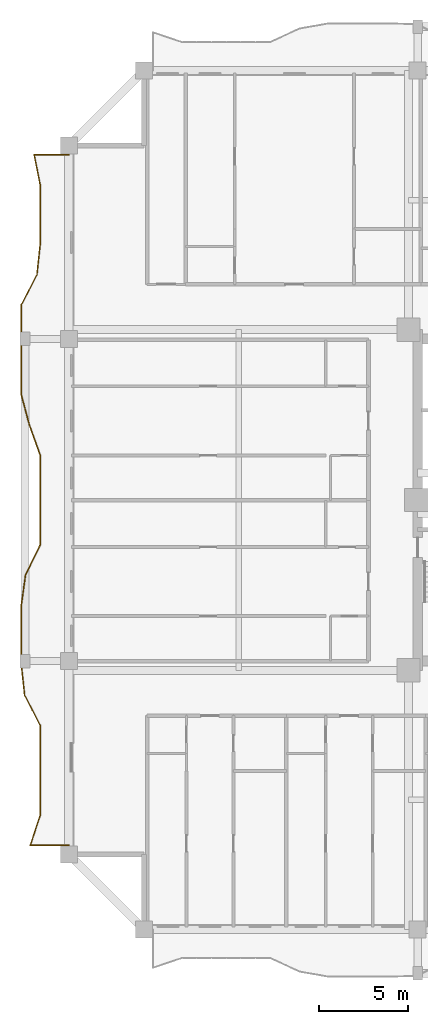
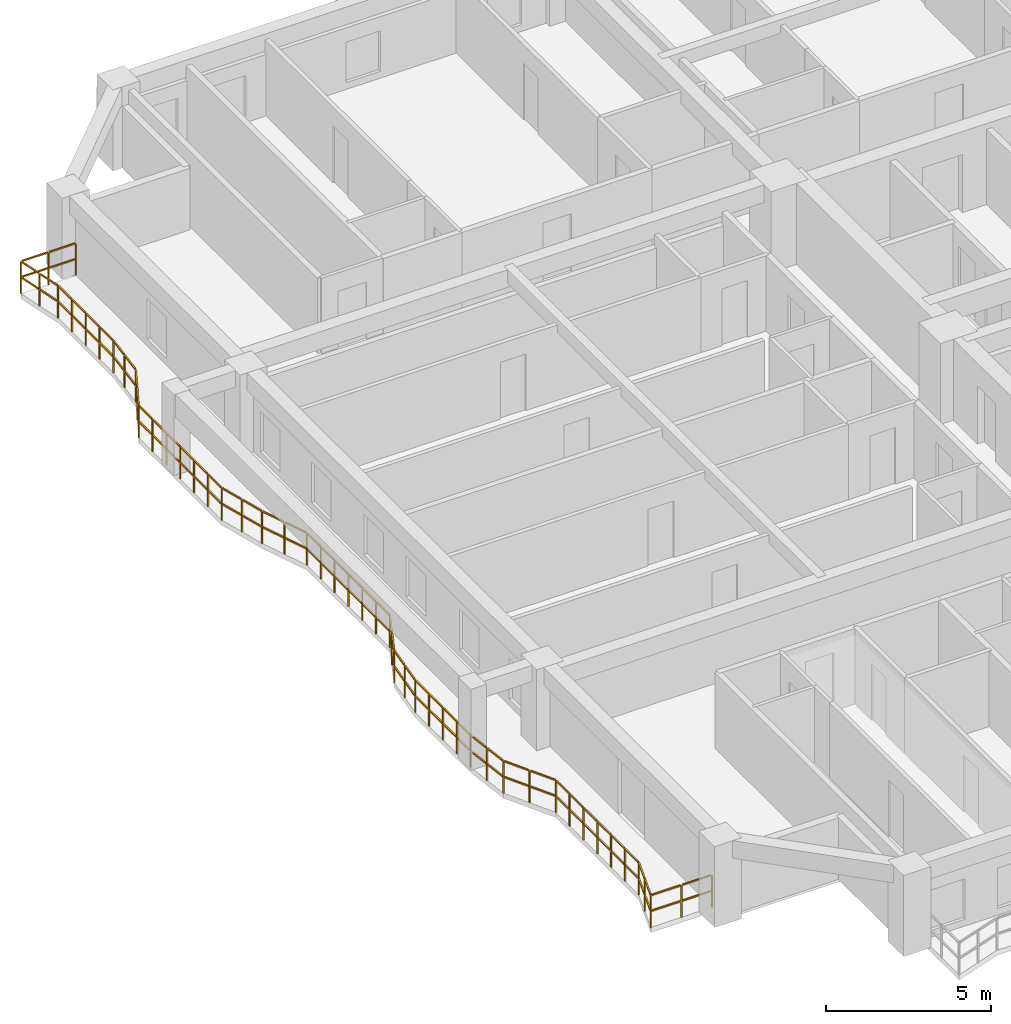
# One storey, part 12 of 15: 1 railing.
"""IFC4 building model written with IfcOpenShell, lengths in metres."""

from ifc_helpers import new_model, si_unit, direction, frame, origin, origin_2d, place, context, subcontext, project, spatial, rectangle, extrude, material, type_object, element, save


model = new_model("IFC4")

# Units and contexts
model_context = context("Model", 3, precision=1e-05, world=origin(), true_north=direction((0.0, 1.0)))
body_context = subcontext(model_context, "Body", "Model", "MODEL_VIEW")
ifc_project = project(units=[si_unit("LENGTHUNIT", "METRE"), si_unit("AREAUNIT", "SQUARE_METRE"), si_unit("VOLUMEUNIT", "CUBIC_METRE"), si_unit("PLANEANGLEUNIT", "RADIAN"), si_unit("MASSUNIT", "GRAM", prefix="KILO")], contexts=[model_context])

# Site, building, storey
site_placement = place(None, origin())
site = spatial("IfcSite", under=ifc_project, at=site_placement, CompositionType="ELEMENT")
building_placement = place(site_placement, origin())
building = spatial("IfcBuilding", under=site, at=building_placement, Name="Saelheon Loggia Tower", CompositionType="ELEMENT")
storey_placement = place(building_placement, frame((0.0, 0.0, 77.85009765625)))
storey = spatial("IfcBuildingStorey", under=building, at=storey_placement, Name="L24", CompositionType="ELEMENT", Elevation=77.85009765625)

# Railing
ifc_material = material(Name="Architectural Precast Concrete and Laminated Glass Guard", Category="concrete")
railing_type = type_object("IfcRailingType", Name="Guard_Loggia_RL_LOG", PredefinedType="BALUSTRADE", material=ifc_material)
railing_placement = place(storey_placement, frame((12.0, 46.300048828125, 0.0)))
element("IfcRailing", 1, at=railing_placement, inside=storey, type_object=railing_type, Name="L24 West Loggia Balustrade", PredefinedType="BALUSTRADE", context=body_context, shape_type="SweptSolid", body=[
    extrude(rectangle(XDim=0.048095703125, YDim=0.048095703125, at=origin_2d()), frame((-0.033203125, 0.0, 1.19580078125), z_axis=(-1.0, 0.0, 0.0), x_axis=(0.0, -1.0, 0.0)), (0.0, 0.0, 1.0), 0.900146484375),
    extrude(rectangle(XDim=0.048095703125, YDim=0.048095703125, at=origin_2d()), frame((-0.033203125, 0.0, 0.60986328125), z_axis=(-1.0, 0.0, 0.0), x_axis=(0.0, -1.0, 0.0)), (0.0, 0.0, 1.0), 0.900146484375),
    extrude(rectangle(XDim=0.048095703125, YDim=0.048095703125, at=origin_2d()), frame((-1.0, 0.0, 1.19580078125), z_axis=(-1.0, 0.0, 0.0), x_axis=(0.0, -1.0, 0.0)), (0.0, 0.0, 1.0), 0.900146484375),
    extrude(rectangle(XDim=0.048095703125, YDim=0.048095703125, at=origin_2d()), frame((-1.0, 0.0, 0.60986328125), z_axis=(-1.0, 0.0, 0.0), x_axis=(0.0, -1.0, 0.0)), (0.0, 0.0, 1.0), 0.900146484375),
    extrude(rectangle(XDim=0.048095703125, YDim=0.048095703125, at=origin_2d()), frame((-1.9267578125, -0.03271484375, 1.19580078125), z_axis=(0.194744119332, -0.980854080883, 0.0), x_axis=(0.980854080883, 0.194744119332, 0.0)), (0.0, 0.0, 1.0), 0.7890625),
    extrude(rectangle(XDim=0.048095703125, YDim=0.048095703125, at=origin_2d()), frame((-1.9267578125, -0.03271484375, 0.60986328125), z_axis=(0.194744119332, -0.980854080883, 0.0), x_axis=(0.980854080883, 0.194744119332, 0.0)), (0.0, 0.0, 1.0), 0.7890625),
    extrude(rectangle(XDim=0.048095703125, YDim=0.048095703125, at=origin_2d()), frame((-1.76025390625, -0.871826171875, 1.19580078125), z_axis=(0.194744119332, -0.980854080883, 0.0), x_axis=(0.980854080883, 0.194744119332, 0.0)), (0.0, 0.0, 1.0), 0.7890625),
    extrude(rectangle(XDim=0.048095703125, YDim=0.048095703125, at=origin_2d()), frame((-1.76025390625, -0.871826171875, 0.60986328125), z_axis=(0.194744119332, -0.980854080883, 0.0), x_axis=(0.980854080883, 0.194744119332, 0.0)), (0.0, 0.0, 1.0), 0.7890625),
    extrude(rectangle(XDim=0.048095703125, YDim=0.048095703125, at=origin_2d()), frame((-1.60009765625, -1.711669921875, 1.19580078125), z_axis=(0.0, -1.0, 0.0), x_axis=(1.0, 0.0, 0.0)), (0.0, 0.0, 1.0), 0.7724609375),
    extrude(rectangle(XDim=0.048095703125, YDim=0.048095703125, at=origin_2d()), frame((-1.60009765625, -1.711669921875, 0.60986328125), z_axis=(0.0, -1.0, 0.0), x_axis=(1.0, 0.0, 0.0)), (0.0, 0.0, 1.0), 0.7724609375),
    extrude(rectangle(XDim=0.048095703125, YDim=0.048095703125, at=origin_2d()), frame((-1.60009765625, -2.55078125, 1.19580078125), z_axis=(0.0, -1.0, 0.0), x_axis=(1.0, 0.0, 0.0)), (0.0, 0.0, 1.0), 0.7724609375),
    extrude(rectangle(XDim=0.048095703125, YDim=0.048095703125, at=origin_2d()), frame((-1.60009765625, -2.55078125, 0.60986328125), z_axis=(0.0, -1.0, 0.0), x_axis=(1.0, 0.0, 0.0)), (0.0, 0.0, 1.0), 0.7724609375),
    extrude(rectangle(XDim=0.048095703125, YDim=0.048095703125, at=origin_2d()), frame((-1.60009765625, -3.3896484375, 1.19580078125), z_axis=(0.0, -1.0, 0.0), x_axis=(1.0, 0.0, 0.0)), (0.0, 0.0, 1.0), 0.772705078125),
    extrude(rectangle(XDim=0.048095703125, YDim=0.048095703125, at=origin_2d()), frame((-1.60009765625, -3.3896484375, 0.60986328125), z_axis=(0.0, -1.0, 0.0), x_axis=(1.0, 0.0, 0.0)), (0.0, 0.0, 1.0), 0.772705078125),
    extrude(rectangle(XDim=0.048095703125, YDim=0.048095703125, at=origin_2d()), frame((-1.60009765625, -4.22900390625, 1.19580078125), z_axis=(0.0, -1.0, 0.0), x_axis=(1.0, 0.0, 0.0)), (0.0, 0.0, 1.0), 0.772705078125),
    extrude(rectangle(XDim=0.048095703125, YDim=0.048095703125, at=origin_2d()), frame((-1.60009765625, -4.22900390625, 0.60986328125), z_axis=(0.0, -1.0, 0.0), x_axis=(1.0, 0.0, 0.0)), (0.0, 0.0, 1.0), 0.772705078125),
    extrude(rectangle(XDim=0.048095703125, YDim=0.048095703125, at=origin_2d()), frame((-1.603759765625, -5.06787109375, 1.19580078125), z_axis=(-0.10731955736, -0.994224578558, 0.0), x_axis=(0.994224578558, -0.10731955736, 0.0)), (0.0, 0.0, 1.0), 0.777587890625),
    extrude(rectangle(XDim=0.048095703125, YDim=0.048095703125, at=origin_2d()), frame((-1.603759765625, -5.06787109375, 0.60986328125), z_axis=(-0.10731955736, -0.994224578558, 0.0), x_axis=(0.994224578558, -0.10731955736, 0.0)), (0.0, 0.0, 1.0), 0.777587890625),
    extrude(rectangle(XDim=0.048095703125, YDim=0.048095703125, at=origin_2d()), frame((-1.6943359375, -5.906982421875, 1.19580078125), z_axis=(-0.10731955736, -0.994224578558, 0.0), x_axis=(0.994224578558, -0.10731955736, 0.0)), (0.0, 0.0, 1.0), 0.777587890625),
    extrude(rectangle(XDim=0.048095703125, YDim=0.048095703125, at=origin_2d()), frame((-1.6943359375, -5.906982421875, 0.60986328125), z_axis=(-0.10731955736, -0.994224578558, 0.0), x_axis=(0.994224578558, -0.10731955736, 0.0)), (0.0, 0.0, 1.0), 0.777587890625),
    extrude(rectangle(XDim=0.048095703125, YDim=0.048095703125, at=origin_2d()), frame((-1.796630859375, -6.74267578125, 1.19580078125), z_axis=(-0.459675957683, -0.88808671532, 0.0), x_axis=(0.88808671532, -0.459675957683, 0.0)), (0.0, 0.0, 1.0), 0.87841796875),
    extrude(rectangle(XDim=0.048095703125, YDim=0.048095703125, at=origin_2d()), frame((-1.796630859375, -6.74267578125, 0.60986328125), z_axis=(-0.459675957683, -0.88808671532, 0.0), x_axis=(0.88808671532, -0.459675957683, 0.0)), (0.0, 0.0, 1.0), 0.87841796875),
    extrude(rectangle(XDim=0.048095703125, YDim=0.048095703125, at=origin_2d()), frame((-2.23095703125, -7.581787109375, 1.19580078125), z_axis=(-0.459675957683, -0.88808671532, 0.0), x_axis=(0.88808671532, -0.459675957683, 0.0)), (0.0, 0.0, 1.0), 0.87841796875),
    extrude(rectangle(XDim=0.048095703125, YDim=0.048095703125, at=origin_2d()), frame((-2.23095703125, -7.581787109375, 0.60986328125), z_axis=(-0.459675957683, -0.88808671532, 0.0), x_axis=(0.88808671532, -0.459675957683, 0.0)), (0.0, 0.0, 1.0), 0.87841796875),
    extrude(rectangle(XDim=0.048095703125, YDim=0.048095703125, at=origin_2d()), frame((-2.64990234375, -8.424560546875, 1.19580078125), z_axis=(0.0, -1.0, 0.0), x_axis=(1.0, 0.0, 0.0)), (0.0, 0.0, 1.0), 0.772705078125),
    extrude(rectangle(XDim=0.048095703125, YDim=0.048095703125, at=origin_2d()), frame((-2.64990234375, -8.424560546875, 0.60986328125), z_axis=(0.0, -1.0, 0.0), x_axis=(1.0, 0.0, 0.0)), (0.0, 0.0, 1.0), 0.772705078125),
    extrude(rectangle(XDim=0.048095703125, YDim=0.048095703125, at=origin_2d()), frame((-2.64990234375, -9.263671875, 1.19580078125), z_axis=(0.0, -1.0, 0.0), x_axis=(1.0, 0.0, 0.0)), (0.0, 0.0, 1.0), 0.772705078125),
    extrude(rectangle(XDim=0.048095703125, YDim=0.048095703125, at=origin_2d()), frame((-2.64990234375, -9.263671875, 0.60986328125), z_axis=(0.0, -1.0, 0.0), x_axis=(1.0, 0.0, 0.0)), (0.0, 0.0, 1.0), 0.772705078125),
    extrude(rectangle(XDim=0.048095703125, YDim=0.048095703125, at=origin_2d()), frame((-2.64990234375, -10.102783203125, 1.19580078125), z_axis=(0.0, -1.0, 0.0), x_axis=(1.0, 0.0, 0.0)), (0.0, 0.0, 1.0), 0.772705078125),
    extrude(rectangle(XDim=0.048095703125, YDim=0.048095703125, at=origin_2d()), frame((-2.64990234375, -10.102783203125, 0.60986328125), z_axis=(0.0, -1.0, 0.0), x_axis=(1.0, 0.0, 0.0)), (0.0, 0.0, 1.0), 0.772705078125),
    extrude(rectangle(XDim=0.048095703125, YDim=0.048095703125, at=origin_2d()), frame((-2.64990234375, -10.94189453125, 1.19580078125), z_axis=(0.0, -1.0, 0.0), x_axis=(1.0, 0.0, 0.0)), (0.0, 0.0, 1.0), 0.772705078125),
    extrude(rectangle(XDim=0.048095703125, YDim=0.048095703125, at=origin_2d()), frame((-2.64990234375, -10.94189453125, 0.60986328125), z_axis=(0.0, -1.0, 0.0), x_axis=(1.0, 0.0, 0.0)), (0.0, 0.0, 1.0), 0.772705078125),
    extrude(rectangle(XDim=0.048095703125, YDim=0.048095703125, at=origin_2d()), frame((-2.64990234375, -11.781005859375, 1.19580078125), z_axis=(0.0, -1.0, 0.0), x_axis=(1.0, 0.0, 0.0)), (0.0, 0.0, 1.0), 0.772705078125),
    extrude(rectangle(XDim=0.048095703125, YDim=0.048095703125, at=origin_2d()), frame((-2.64990234375, -11.781005859375, 0.60986328125), z_axis=(0.0, -1.0, 0.0), x_axis=(1.0, 0.0, 0.0)), (0.0, 0.0, 1.0), 0.772705078125),
    extrude(rectangle(XDim=0.048095703125, YDim=0.048095703125, at=origin_2d()), frame((-2.64990234375, -12.620361328125, 1.19580078125), z_axis=(0.0, -1.0, 0.0), x_axis=(1.0, 0.0, 0.0)), (0.0, 0.0, 1.0), 0.772705078125),
    extrude(rectangle(XDim=0.048095703125, YDim=0.048095703125, at=origin_2d()), frame((-2.64990234375, -12.620361328125, 0.60986328125), z_axis=(0.0, -1.0, 0.0), x_axis=(1.0, 0.0, 0.0)), (0.0, 0.0, 1.0), 0.772705078125),
    extrude(rectangle(XDim=0.048095703125, YDim=0.048095703125, at=origin_2d()), frame((-2.641357421875, -13.45849609375, 1.19580078125), z_axis=(0.257951367735, -0.966157902148, 0.0), x_axis=(0.966157902148, 0.257951367735, 0.0)), (0.0, 0.0, 1.0), 0.802001953125),
    extrude(rectangle(XDim=0.048095703125, YDim=0.048095703125, at=origin_2d()), frame((-2.641357421875, -13.45849609375, 0.60986328125), z_axis=(0.257951367735, -0.966157902148, 0.0), x_axis=(0.966157902148, 0.257951367735, 0.0)), (0.0, 0.0, 1.0), 0.802001953125),
    extrude(rectangle(XDim=0.048095703125, YDim=0.048095703125, at=origin_2d()), frame((-2.417236328125, -14.29736328125, 1.19580078125), z_axis=(0.257951367735, -0.966157902148, 0.0), x_axis=(0.966157902148, 0.257951367735, 0.0)), (0.0, 0.0, 1.0), 0.802001953125),
    extrude(rectangle(XDim=0.048095703125, YDim=0.048095703125, at=origin_2d()), frame((-2.417236328125, -14.29736328125, 0.60986328125), z_axis=(0.257951367735, -0.966157902148, 0.0), x_axis=(0.966157902148, 0.257951367735, 0.0)), (0.0, 0.0, 1.0), 0.802001953125),
    extrude(rectangle(XDim=0.048095703125, YDim=0.048095703125, at=origin_2d()), frame((-2.190673828125, -15.135498046875, 1.19580078125), z_axis=(0.337507079307, -0.941322989955, 0.0), x_axis=(0.941322989955, 0.337507079307, 0.0)), (0.0, 0.0, 1.0), 0.8251953125),
    extrude(rectangle(XDim=0.048095703125, YDim=0.048095703125, at=origin_2d()), frame((-2.190673828125, -15.135498046875, 0.60986328125), z_axis=(0.337507079307, -0.941322989955, 0.0), x_axis=(0.941322989955, 0.337507079307, 0.0)), (0.0, 0.0, 1.0), 0.8251953125),
    extrude(rectangle(XDim=0.048095703125, YDim=0.048095703125, at=origin_2d()), frame((-1.889892578125, -15.974853515625, 1.19580078125), z_axis=(0.337507079307, -0.941322989955, 0.0), x_axis=(0.941322989955, 0.337507079307, 0.0)), (0.0, 0.0, 1.0), 0.8251953125),
    extrude(rectangle(XDim=0.048095703125, YDim=0.048095703125, at=origin_2d()), frame((-1.889892578125, -15.974853515625, 0.60986328125), z_axis=(0.337507079307, -0.941322989955, 0.0), x_axis=(0.941322989955, 0.337507079307, 0.0)), (0.0, 0.0, 1.0), 0.8251953125),
    extrude(rectangle(XDim=0.048095703125, YDim=0.048095703125, at=origin_2d()), frame((-1.60009765625, -16.81591796875, 1.19580078125), z_axis=(0.0, -1.0, 0.0), x_axis=(1.0, 0.0, 0.0)), (0.0, 0.0, 1.0), 0.772705078125),
    extrude(rectangle(XDim=0.048095703125, YDim=0.048095703125, at=origin_2d()), frame((-1.60009765625, -16.81591796875, 0.60986328125), z_axis=(0.0, -1.0, 0.0), x_axis=(1.0, 0.0, 0.0)), (0.0, 0.0, 1.0), 0.772705078125),
    extrude(rectangle(XDim=0.048095703125, YDim=0.048095703125, at=origin_2d()), frame((-1.60009765625, -17.655029296875, 1.19580078125), z_axis=(0.0, -1.0, 0.0), x_axis=(1.0, 0.0, 0.0)), (0.0, 0.0, 1.0), 0.772705078125),
    extrude(rectangle(XDim=0.048095703125, YDim=0.048095703125, at=origin_2d()), frame((-1.60009765625, -17.655029296875, 0.60986328125), z_axis=(0.0, -1.0, 0.0), x_axis=(1.0, 0.0, 0.0)), (0.0, 0.0, 1.0), 0.772705078125),
    extrude(rectangle(XDim=0.048095703125, YDim=0.048095703125, at=origin_2d()), frame((-1.60009765625, -18.494140625, 1.19580078125), z_axis=(0.0, -1.0, 0.0), x_axis=(1.0, 0.0, 0.0)), (0.0, 0.0, 1.0), 0.772705078125),
    extrude(rectangle(XDim=0.048095703125, YDim=0.048095703125, at=origin_2d()), frame((-1.60009765625, -18.494140625, 0.60986328125), z_axis=(0.0, -1.0, 0.0), x_axis=(1.0, 0.0, 0.0)), (0.0, 0.0, 1.0), 0.772705078125),
    extrude(rectangle(XDim=0.048095703125, YDim=0.048095703125, at=origin_2d()), frame((-1.60009765625, -19.333251953125, 1.19580078125), z_axis=(0.0, -1.0, 0.0), x_axis=(1.0, 0.0, 0.0)), (0.0, 0.0, 1.0), 0.772705078125),
    extrude(rectangle(XDim=0.048095703125, YDim=0.048095703125, at=origin_2d()), frame((-1.60009765625, -19.333251953125, 0.60986328125), z_axis=(0.0, -1.0, 0.0), x_axis=(1.0, 0.0, 0.0)), (0.0, 0.0, 1.0), 0.772705078125),
    extrude(rectangle(XDim=0.048095703125, YDim=0.048095703125, at=origin_2d()), frame((-1.60009765625, -20.17236328125, 1.19580078125), z_axis=(0.0, -1.0, 0.0), x_axis=(1.0, 0.0, 0.0)), (0.0, 0.0, 1.0), 0.772705078125),
    extrude(rectangle(XDim=0.048095703125, YDim=0.048095703125, at=origin_2d()), frame((-1.60009765625, -20.17236328125, 0.60986328125), z_axis=(0.0, -1.0, 0.0), x_axis=(1.0, 0.0, 0.0)), (0.0, 0.0, 1.0), 0.772705078125),
    extrude(rectangle(XDim=0.048095703125, YDim=0.048095703125, at=origin_2d()), frame((-1.60009765625, -21.011474609375, 1.19580078125), z_axis=(0.0, -1.0, 0.0), x_axis=(1.0, 0.0, 0.0)), (0.0, 0.0, 1.0), 0.772705078125),
    extrude(rectangle(XDim=0.048095703125, YDim=0.048095703125, at=origin_2d()), frame((-1.60009765625, -21.011474609375, 0.60986328125), z_axis=(0.0, -1.0, 0.0), x_axis=(1.0, 0.0, 0.0)), (0.0, 0.0, 1.0), 0.772705078125),
    extrude(rectangle(XDim=0.048095703125, YDim=0.048095703125, at=origin_2d()), frame((-1.61474609375, -21.84716796875, 1.19580078125), z_axis=(-0.437931485797, -0.89900835021, 0.0), x_axis=(0.89900835021, -0.437931485797, 0.0)), (0.0, 0.0, 1.0), 0.866943359375),
    extrude(rectangle(XDim=0.048095703125, YDim=0.048095703125, at=origin_2d()), frame((-1.61474609375, -21.84716796875, 0.60986328125), z_axis=(-0.437931485797, -0.89900835021, 0.0), x_axis=(0.89900835021, -0.437931485797, 0.0)), (0.0, 0.0, 1.0), 0.866943359375),
    extrude(rectangle(XDim=0.048095703125, YDim=0.048095703125, at=origin_2d()), frame((-2.0234375, -22.6865234375, 1.19580078125), z_axis=(-0.437931485797, -0.89900835021, 0.0), x_axis=(0.89900835021, -0.437931485797, 0.0)), (0.0, 0.0, 1.0), 0.866943359375),
    extrude(rectangle(XDim=0.048095703125, YDim=0.048095703125, at=origin_2d()), frame((-2.0234375, -22.6865234375, 0.60986328125), z_axis=(-0.437931485797, -0.89900835021, 0.0), x_axis=(0.89900835021, -0.437931485797, 0.0)), (0.0, 0.0, 1.0), 0.866943359375),
    extrude(rectangle(XDim=0.048095703125, YDim=0.048095703125, at=origin_2d()), frame((-2.42236328125, -23.52880859375, 1.19580078125), z_axis=(-0.13706168357, -0.990562514381, 0.0), x_axis=(0.990562514381, -0.13706168357, 0.0)), (0.0, 0.0, 1.0), 0.780517578125),
    extrude(rectangle(XDim=0.048095703125, YDim=0.048095703125, at=origin_2d()), frame((-2.42236328125, -23.52880859375, 0.60986328125), z_axis=(-0.13706168357, -0.990562514381, 0.0), x_axis=(0.990562514381, -0.13706168357, 0.0)), (0.0, 0.0, 1.0), 0.780517578125),
    extrude(rectangle(XDim=0.048095703125, YDim=0.048095703125, at=origin_2d()), frame((-2.538330078125, -24.36767578125, 1.19580078125), z_axis=(-0.13706168357, -0.990562514381, 0.0), x_axis=(0.990562514381, -0.13706168357, 0.0)), (0.0, 0.0, 1.0), 0.780517578125),
    extrude(rectangle(XDim=0.048095703125, YDim=0.048095703125, at=origin_2d()), frame((-2.538330078125, -24.36767578125, 0.60986328125), z_axis=(-0.13706168357, -0.990562514381, 0.0), x_axis=(0.990562514381, -0.13706168357, 0.0)), (0.0, 0.0, 1.0), 0.780517578125),
    extrude(rectangle(XDim=0.048095703125, YDim=0.048095703125, at=origin_2d()), frame((-2.64990234375, -25.20703125, 1.19580078125), z_axis=(0.0, -1.0, 0.0), x_axis=(1.0, 0.0, 0.0)), (0.0, 0.0, 1.0), 0.772705078125),
    extrude(rectangle(XDim=0.048095703125, YDim=0.048095703125, at=origin_2d()), frame((-2.64990234375, -25.20703125, 0.60986328125), z_axis=(0.0, -1.0, 0.0), x_axis=(1.0, 0.0, 0.0)), (0.0, 0.0, 1.0), 0.772705078125),
    extrude(rectangle(XDim=0.048095703125, YDim=0.048095703125, at=origin_2d()), frame((-2.64990234375, -26.04638671875, 1.19580078125), z_axis=(0.0, -1.0, 0.0), x_axis=(1.0, 0.0, 0.0)), (0.0, 0.0, 1.0), 0.772705078125),
    extrude(rectangle(XDim=0.048095703125, YDim=0.048095703125, at=origin_2d()), frame((-2.64990234375, -26.04638671875, 0.60986328125), z_axis=(0.0, -1.0, 0.0), x_axis=(1.0, 0.0, 0.0)), (0.0, 0.0, 1.0), 0.772705078125),
    extrude(rectangle(XDim=0.048095703125, YDim=0.048095703125, at=origin_2d()), frame((-2.64990234375, -26.885498046875, 1.19580078125), z_axis=(0.0, -1.0, 0.0), x_axis=(1.0, 0.0, 0.0)), (0.0, 0.0, 1.0), 0.772705078125),
    extrude(rectangle(XDim=0.048095703125, YDim=0.048095703125, at=origin_2d()), frame((-2.64990234375, -26.885498046875, 0.60986328125), z_axis=(0.0, -1.0, 0.0), x_axis=(1.0, 0.0, 0.0)), (0.0, 0.0, 1.0), 0.772705078125),
    extrude(rectangle(XDim=0.048095703125, YDim=0.048095703125, at=origin_2d()), frame((-2.64990234375, -27.724609375, 1.19580078125), z_axis=(0.0, -1.0, 0.0), x_axis=(1.0, 0.0, 0.0)), (0.0, 0.0, 1.0), 0.772705078125),
    extrude(rectangle(XDim=0.048095703125, YDim=0.048095703125, at=origin_2d()), frame((-2.64990234375, -27.724609375, 0.60986328125), z_axis=(0.0, -1.0, 0.0), x_axis=(1.0, 0.0, 0.0)), (0.0, 0.0, 1.0), 0.772705078125),
    extrude(rectangle(XDim=0.048095703125, YDim=0.048095703125, at=origin_2d()), frame((-2.646240234375, -28.5634765625, 1.19580078125), z_axis=(0.107462523714, -0.994209135945, 0.0), x_axis=(0.994209135945, 0.107462523714, 0.0)), (0.0, 0.0, 1.0), 0.777587890625),
    extrude(rectangle(XDim=0.048095703125, YDim=0.048095703125, at=origin_2d()), frame((-2.646240234375, -28.5634765625, 0.60986328125), z_axis=(0.107462523714, -0.994209135945, 0.0), x_axis=(0.994209135945, 0.107462523714, 0.0)), (0.0, 0.0, 1.0), 0.777587890625),
    extrude(rectangle(XDim=0.048095703125, YDim=0.048095703125, at=origin_2d()), frame((-2.5556640625, -29.402587890625, 1.19580078125), z_axis=(0.107462523714, -0.994209135945, 0.0), x_axis=(0.994209135945, 0.107462523714, 0.0)), (0.0, 0.0, 1.0), 0.777587890625),
    extrude(rectangle(XDim=0.048095703125, YDim=0.048095703125, at=origin_2d()), frame((-2.5556640625, -29.402587890625, 0.60986328125), z_axis=(0.107462523714, -0.994209135945, 0.0), x_axis=(0.994209135945, 0.107462523714, 0.0)), (0.0, 0.0, 1.0), 0.777587890625),
    extrude(rectangle(XDim=0.048095703125, YDim=0.048095703125, at=origin_2d()), frame((-2.453125, -30.23828125, 1.19580078125), z_axis=(0.459574052733, -0.888139454171, 0.0), x_axis=(0.888139454171, 0.459574052733, 0.0)), (0.0, 0.0, 1.0), 0.87841796875),
    extrude(rectangle(XDim=0.048095703125, YDim=0.048095703125, at=origin_2d()), frame((-2.453125, -30.23828125, 0.60986328125), z_axis=(0.459574052733, -0.888139454171, 0.0), x_axis=(0.888139454171, 0.459574052733, 0.0)), (0.0, 0.0, 1.0), 0.87841796875),
    extrude(rectangle(XDim=0.048095703125, YDim=0.048095703125, at=origin_2d()), frame((-2.01904296875, -31.077392578125, 1.19580078125), z_axis=(0.459574052733, -0.888139454171, 0.0), x_axis=(0.888139454171, 0.459574052733, 0.0)), (0.0, 0.0, 1.0), 0.87841796875),
    extrude(rectangle(XDim=0.048095703125, YDim=0.048095703125, at=origin_2d()), frame((-2.01904296875, -31.077392578125, 0.60986328125), z_axis=(0.459574052733, -0.888139454171, 0.0), x_axis=(0.888139454171, 0.459574052733, 0.0)), (0.0, 0.0, 1.0), 0.87841796875),
    extrude(rectangle(XDim=0.048095703125, YDim=0.048095703125, at=origin_2d()), frame((-1.60009765625, -31.920166015625, 1.19580078125), z_axis=(0.0, -1.0, 0.0), x_axis=(1.0, 0.0, 0.0)), (0.0, 0.0, 1.0), 0.772705078125),
    extrude(rectangle(XDim=0.048095703125, YDim=0.048095703125, at=origin_2d()), frame((-1.60009765625, -31.920166015625, 0.60986328125), z_axis=(0.0, -1.0, 0.0), x_axis=(1.0, 0.0, 0.0)), (0.0, 0.0, 1.0), 0.772705078125),
    extrude(rectangle(XDim=0.048095703125, YDim=0.048095703125, at=origin_2d()), frame((-1.60009765625, -32.75927734375, 1.19580078125), z_axis=(0.0, -1.0, 0.0), x_axis=(1.0, 0.0, 0.0)), (0.0, 0.0, 1.0), 0.772705078125),
    extrude(rectangle(XDim=0.048095703125, YDim=0.048095703125, at=origin_2d()), frame((-1.60009765625, -32.75927734375, 0.60986328125), z_axis=(0.0, -1.0, 0.0), x_axis=(1.0, 0.0, 0.0)), (0.0, 0.0, 1.0), 0.772705078125),
    extrude(rectangle(XDim=0.048095703125, YDim=0.048095703125, at=origin_2d()), frame((-1.60009765625, -33.598388671875, 1.19580078125), z_axis=(0.0, -1.0, 0.0), x_axis=(1.0, 0.0, 0.0)), (0.0, 0.0, 1.0), 0.772705078125),
    extrude(rectangle(XDim=0.048095703125, YDim=0.048095703125, at=origin_2d()), frame((-1.60009765625, -33.598388671875, 0.60986328125), z_axis=(0.0, -1.0, 0.0), x_axis=(1.0, 0.0, 0.0)), (0.0, 0.0, 1.0), 0.772705078125),
    extrude(rectangle(XDim=0.048095703125, YDim=0.048095703125, at=origin_2d()), frame((-1.60009765625, -34.437744140625, 1.19580078125), z_axis=(0.0, -1.0, 0.0), x_axis=(1.0, 0.0, 0.0)), (0.0, 0.0, 1.0), 0.772705078125),
    extrude(rectangle(XDim=0.048095703125, YDim=0.048095703125, at=origin_2d()), frame((-1.60009765625, -34.437744140625, 0.60986328125), z_axis=(0.0, -1.0, 0.0), x_axis=(1.0, 0.0, 0.0)), (0.0, 0.0, 1.0), 0.772705078125),
    extrude(rectangle(XDim=0.048095703125, YDim=0.048095703125, at=origin_2d()), frame((-1.60009765625, -35.27685546875, 1.19580078125), z_axis=(0.0, -1.0, 0.0), x_axis=(1.0, 0.0, 0.0)), (0.0, 0.0, 1.0), 0.7724609375),
    extrude(rectangle(XDim=0.048095703125, YDim=0.048095703125, at=origin_2d()), frame((-1.60009765625, -35.27685546875, 0.60986328125), z_axis=(0.0, -1.0, 0.0), x_axis=(1.0, 0.0, 0.0)), (0.0, 0.0, 1.0), 0.7724609375),
    extrude(rectangle(XDim=0.048095703125, YDim=0.048095703125, at=origin_2d()), frame((-1.60009765625, -36.115966796875, 1.19580078125), z_axis=(0.0, -1.0, 0.0), x_axis=(1.0, 0.0, 0.0)), (0.0, 0.0, 1.0), 0.7724609375),
    extrude(rectangle(XDim=0.048095703125, YDim=0.048095703125, at=origin_2d()), frame((-1.60009765625, -36.115966796875, 0.60986328125), z_axis=(0.0, -1.0, 0.0), x_axis=(1.0, 0.0, 0.0)), (0.0, 0.0, 1.0), 0.7724609375),
    extrude(rectangle(XDim=0.048095703125, YDim=0.048095703125, at=origin_2d()), frame((-1.6103515625, -36.953125, 1.19580078125), z_axis=(-0.311288759302, -0.950315373091, 0.0), x_axis=(0.950315373091, -0.311288759302, 0.0)), (0.0, 0.0, 1.0), 0.816650390625),
    extrude(rectangle(XDim=0.048095703125, YDim=0.048095703125, at=origin_2d()), frame((-1.6103515625, -36.953125, 0.60986328125), z_axis=(-0.311288759302, -0.950315373091, 0.0), x_axis=(0.950315373091, -0.311288759302, 0.0)), (0.0, 0.0, 1.0), 0.816650390625),
    extrude(rectangle(XDim=0.048095703125, YDim=0.048095703125, at=origin_2d()), frame((-1.88525390625, -37.79248046875, 1.19580078125), z_axis=(-0.311288759302, -0.950315373091, 0.0), x_axis=(0.950315373091, -0.311288759302, 0.0)), (0.0, 0.0, 1.0), 0.816650390625),
    extrude(rectangle(XDim=0.048095703125, YDim=0.048095703125, at=origin_2d()), frame((-1.88525390625, -37.79248046875, 0.60986328125), z_axis=(-0.311288759302, -0.950315373091, 0.0), x_axis=(0.950315373091, -0.311288759302, 0.0)), (0.0, 0.0, 1.0), 0.816650390625),
    extrude(rectangle(XDim=0.048095703125, YDim=0.048095703125, at=origin_2d()), frame((-2.11669921875, -38.60009765625, 1.19580078125), z_axis=(1.0, 0.0, 0.0), x_axis=(0.0, 1.0, 0.0)), (0.0, 0.0, 1.0), 1.008544921875),
    extrude(rectangle(XDim=0.048095703125, YDim=0.048095703125, at=origin_2d()), frame((-2.11669921875, -38.60009765625, 0.60986328125), z_axis=(1.0, 0.0, 0.0), x_axis=(0.0, 1.0, 0.0)), (0.0, 0.0, 1.0), 1.008544921875),
    extrude(rectangle(XDim=0.048095703125, YDim=0.048095703125, at=origin_2d()), frame((-1.041748046875, -38.60009765625, 1.19580078125), z_axis=(1.0, 0.0, 0.0), x_axis=(0.0, 1.0, 0.0)), (0.0, 0.0, 1.0), 1.008544921875),
    extrude(rectangle(XDim=0.048095703125, YDim=0.048095703125, at=origin_2d()), frame((-1.041748046875, -38.60009765625, 0.60986328125), z_axis=(1.0, 0.0, 0.0), x_axis=(0.0, 1.0, 0.0)), (0.0, 0.0, 1.0), 1.008544921875),
    extrude(rectangle(XDim=0.0419921875, YDim=0.0419921875, at=origin_2d()), origin(), (0.0, 0.0, 1.0), 1.16796875),
    extrude(rectangle(XDim=0.0419921875, YDim=0.0419921875, at=origin_2d()), frame((-0.966796875, 0.0, 0.0)), (0.0, 0.0, 1.0), 1.16796875),
    extrude(rectangle(XDim=0.0419921875, YDim=0.0419921875, at=origin_2d()), frame((-1.933349609375, 0.0, 0.0)), (0.0, 0.0, 1.0), 1.16796875),
    extrude(rectangle(XDim=0.0419921875, YDim=0.0419921875, at=origin_2d()), frame((-1.7666015625, -0.83935546875, 0.0)), (0.0, 0.0, 1.0), 1.16796875),
    extrude(rectangle(XDim=0.0419921875, YDim=0.0419921875, at=origin_2d()), frame((-1.60009765625, -1.678466796875, 0.0)), (0.0, 0.0, 1.0), 1.16796875),
    extrude(rectangle(XDim=0.0419921875, YDim=0.0419921875, at=origin_2d()), frame((-1.60009765625, -2.517578125, 0.0)), (0.0, 0.0, 1.0), 1.16796875),
    extrude(rectangle(XDim=0.0419921875, YDim=0.0419921875, at=origin_2d()), frame((-1.60009765625, -3.3564453125, 0.0)), (0.0, 0.0, 1.0), 1.16796875),
    extrude(rectangle(XDim=0.0419921875, YDim=0.0419921875, at=origin_2d()), frame((-1.60009765625, -4.19580078125, 0.0)), (0.0, 0.0, 1.0), 1.16796875),
    extrude(rectangle(XDim=0.0419921875, YDim=0.0419921875, at=origin_2d()), frame((-1.60009765625, -5.034912109375, 0.0)), (0.0, 0.0, 1.0), 1.16796875),
    extrude(rectangle(XDim=0.0419921875, YDim=0.0419921875, at=origin_2d()), frame((-1.690673828125, -5.8740234375, 0.0)), (0.0, 0.0, 1.0), 1.16796875),
    extrude(rectangle(XDim=0.0419921875, YDim=0.0419921875, at=origin_2d()), frame((-1.78125, -6.713134765625, 0.0)), (0.0, 0.0, 1.0), 1.16796875),
    extrude(rectangle(XDim=0.0419921875, YDim=0.0419921875, at=origin_2d()), frame((-2.215576171875, -7.55224609375, 0.0)), (0.0, 0.0, 1.0), 1.16796875),
    extrude(rectangle(XDim=0.0419921875, YDim=0.0419921875, at=origin_2d()), frame((-2.64990234375, -8.391357421875, 0.0)), (0.0, 0.0, 1.0), 1.16796875),
    extrude(rectangle(XDim=0.0419921875, YDim=0.0419921875, at=origin_2d()), frame((-2.64990234375, -9.23046875, 0.0)), (0.0, 0.0, 1.0), 1.16796875),
    extrude(rectangle(XDim=0.0419921875, YDim=0.0419921875, at=origin_2d()), frame((-2.64990234375, -10.069580078125, 0.0)), (0.0, 0.0, 1.0), 1.16796875),
    extrude(rectangle(XDim=0.0419921875, YDim=0.0419921875, at=origin_2d()), frame((-2.64990234375, -10.90869140625, 0.0)), (0.0, 0.0, 1.0), 1.16796875),
    extrude(rectangle(XDim=0.0419921875, YDim=0.0419921875, at=origin_2d()), frame((-2.64990234375, -11.747802734375, 0.0)), (0.0, 0.0, 1.0), 1.16796875),
    extrude(rectangle(XDim=0.0419921875, YDim=0.0419921875, at=origin_2d()), frame((-2.64990234375, -12.5869140625, 0.0)), (0.0, 0.0, 1.0), 1.16796875),
    extrude(rectangle(XDim=0.0419921875, YDim=0.0419921875, at=origin_2d()), frame((-2.64990234375, -13.42626953125, 0.0)), (0.0, 0.0, 1.0), 1.16796875),
    extrude(rectangle(XDim=0.0419921875, YDim=0.0419921875, at=origin_2d()), frame((-2.42578125, -14.26513671875, 0.0)), (0.0, 0.0, 1.0), 1.16796875),
    extrude(rectangle(XDim=0.0419921875, YDim=0.0419921875, at=origin_2d()), frame((-2.201904296875, -15.104248046875, 0.0)), (0.0, 0.0, 1.0), 1.16796875),
    extrude(rectangle(XDim=0.0419921875, YDim=0.0419921875, at=origin_2d()), frame((-1.90087890625, -15.943359375, 0.0)), (0.0, 0.0, 1.0), 1.16796875),
    extrude(rectangle(XDim=0.0419921875, YDim=0.0419921875, at=origin_2d()), frame((-1.60009765625, -16.78271484375, 0.0)), (0.0, 0.0, 1.0), 1.16796875),
    extrude(rectangle(XDim=0.0419921875, YDim=0.0419921875, at=origin_2d()), frame((-1.60009765625, -17.621826171875, 0.0)), (0.0, 0.0, 1.0), 1.16796875),
    extrude(rectangle(XDim=0.0419921875, YDim=0.0419921875, at=origin_2d()), frame((-1.60009765625, -18.4609375, 0.0)), (0.0, 0.0, 1.0), 1.16796875),
    extrude(rectangle(XDim=0.0419921875, YDim=0.0419921875, at=origin_2d()), frame((-1.60009765625, -19.300048828125, 0.0)), (0.0, 0.0, 1.0), 1.16796875),
    extrude(rectangle(XDim=0.0419921875, YDim=0.0419921875, at=origin_2d()), frame((-1.60009765625, -20.13916015625, 0.0)), (0.0, 0.0, 1.0), 1.16796875),
    extrude(rectangle(XDim=0.0419921875, YDim=0.0419921875, at=origin_2d()), frame((-1.60009765625, -20.978271484375, 0.0)), (0.0, 0.0, 1.0), 1.16796875),
    extrude(rectangle(XDim=0.0419921875, YDim=0.0419921875, at=origin_2d()), frame((-1.60009765625, -21.8173828125, 0.0)), (0.0, 0.0, 1.0), 1.16796875),
    extrude(rectangle(XDim=0.0419921875, YDim=0.0419921875, at=origin_2d()), frame((-2.0087890625, -22.65673828125, 0.0)), (0.0, 0.0, 1.0), 1.16796875),
    extrude(rectangle(XDim=0.0419921875, YDim=0.0419921875, at=origin_2d()), frame((-2.417724609375, -23.495849609375, 0.0)), (0.0, 0.0, 1.0), 1.16796875),
    extrude(rectangle(XDim=0.0419921875, YDim=0.0419921875, at=origin_2d()), frame((-2.53369140625, -24.3349609375, 0.0)), (0.0, 0.0, 1.0), 1.16796875),
    extrude(rectangle(XDim=0.0419921875, YDim=0.0419921875, at=origin_2d()), frame((-2.64990234375, -25.173828125, 0.0)), (0.0, 0.0, 1.0), 1.16796875),
    extrude(rectangle(XDim=0.0419921875, YDim=0.0419921875, at=origin_2d()), frame((-2.64990234375, -26.01318359375, 0.0)), (0.0, 0.0, 1.0), 1.16796875),
    extrude(rectangle(XDim=0.0419921875, YDim=0.0419921875, at=origin_2d()), frame((-2.64990234375, -26.852294921875, 0.0)), (0.0, 0.0, 1.0), 1.16796875),
    extrude(rectangle(XDim=0.0419921875, YDim=0.0419921875, at=origin_2d()), frame((-2.64990234375, -27.69140625, 0.0)), (0.0, 0.0, 1.0), 1.16796875),
    extrude(rectangle(XDim=0.0419921875, YDim=0.0419921875, at=origin_2d()), frame((-2.64990234375, -28.530517578125, 0.0)), (0.0, 0.0, 1.0), 1.16796875),
    extrude(rectangle(XDim=0.0419921875, YDim=0.0419921875, at=origin_2d()), frame((-2.55908203125, -29.36962890625, 0.0)), (0.0, 0.0, 1.0), 1.16796875),
    extrude(rectangle(XDim=0.0419921875, YDim=0.0419921875, at=origin_2d()), frame((-2.468505859375, -30.208740234375, 0.0)), (0.0, 0.0, 1.0), 1.16796875),
    extrude(rectangle(XDim=0.0419921875, YDim=0.0419921875, at=origin_2d()), frame((-2.0341796875, -31.0478515625, 0.0)), (0.0, 0.0, 1.0), 1.16796875),
    extrude(rectangle(XDim=0.0419921875, YDim=0.0419921875, at=origin_2d()), frame((-1.60009765625, -31.886962890625, 0.0)), (0.0, 0.0, 1.0), 1.16796875),
    extrude(rectangle(XDim=0.0419921875, YDim=0.0419921875, at=origin_2d()), frame((-1.60009765625, -32.72607421875, 0.0)), (0.0, 0.0, 1.0), 1.16796875),
    extrude(rectangle(XDim=0.0419921875, YDim=0.0419921875, at=origin_2d()), frame((-1.60009765625, -33.565185546875, 0.0)), (0.0, 0.0, 1.0), 1.16796875),
    extrude(rectangle(XDim=0.0419921875, YDim=0.0419921875, at=origin_2d()), frame((-1.60009765625, -34.404296875, 0.0)), (0.0, 0.0, 1.0), 1.16796875),
    extrude(rectangle(XDim=0.0419921875, YDim=0.0419921875, at=origin_2d()), frame((-1.60009765625, -35.24365234375, 0.0)), (0.0, 0.0, 1.0), 1.16796875),
    extrude(rectangle(XDim=0.0419921875, YDim=0.0419921875, at=origin_2d()), frame((-1.60009765625, -36.08251953125, 0.0)), (0.0, 0.0, 1.0), 1.16796875),
    extrude(rectangle(XDim=0.0419921875, YDim=0.0419921875, at=origin_2d()), frame((-1.60009765625, -36.921630859375, 0.0)), (0.0, 0.0, 1.0), 1.16796875),
    extrude(rectangle(XDim=0.0419921875, YDim=0.0419921875, at=origin_2d()), frame((-1.875, -37.7607421875, 0.0)), (0.0, 0.0, 1.0), 1.16796875),
    extrude(rectangle(XDim=0.0419921875, YDim=0.0419921875, at=origin_2d()), frame((-2.14990234375, -38.60009765625, 0.0)), (0.0, 0.0, 1.0), 1.16796875),
    extrude(rectangle(XDim=0.0419921875, YDim=0.0419921875, at=origin_2d()), frame((-1.074951171875, -38.60009765625, 0.0)), (0.0, 0.0, 1.0), 1.16796875),
    extrude(rectangle(XDim=0.0419921875, YDim=0.0419921875, at=origin_2d()), frame((0.0, -38.60009765625, 0.0)), (0.0, 0.0, 1.0), 1.16796875),
])

save(model, "model.ifc")
